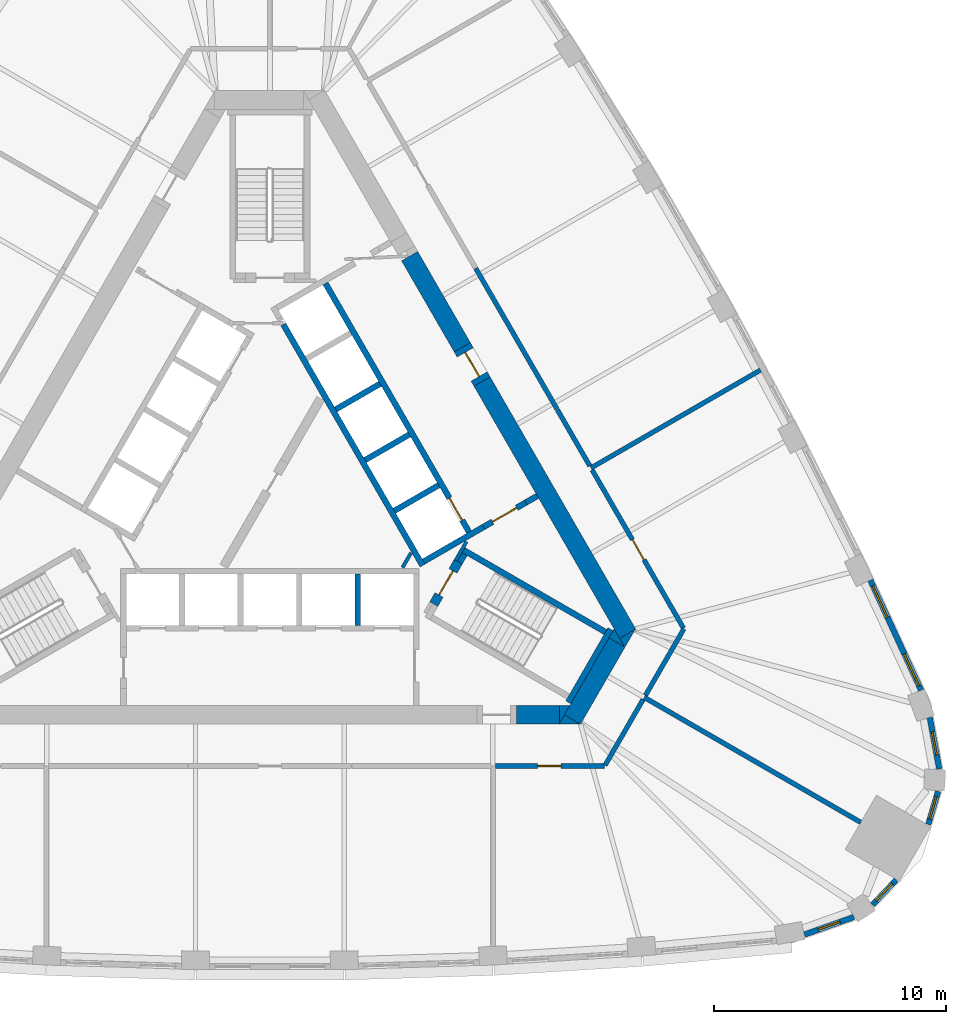
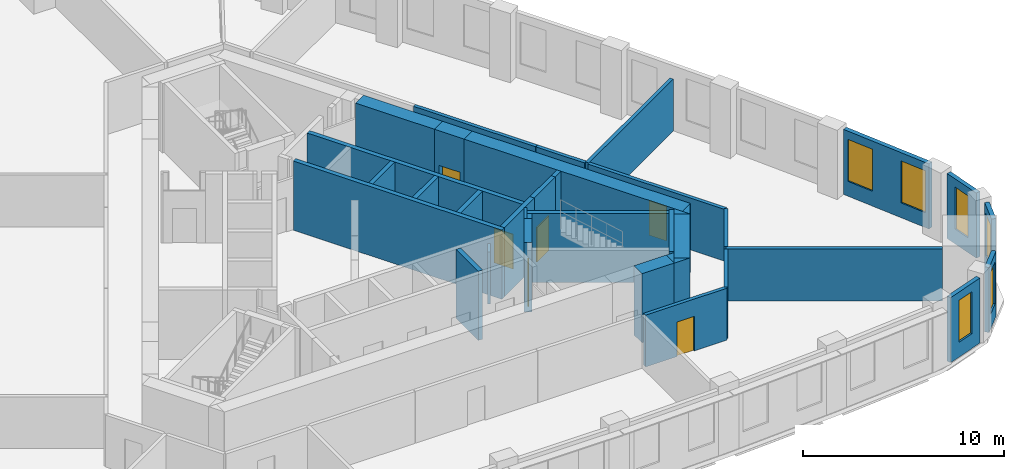
# One storey, part 6 of 9: 37 walls, 6 doors, 6 windows, 12 openings.
"""IFC4 building model written with IfcOpenShell, lengths in metres."""

from ifc_helpers import new_model, si_unit, direction, frame, frame_2d, origin, place, context, subcontext, project, spatial, polyline, rectangle, outline, extrude, material, layer, layer_set, type_object, element, fill, save


model = new_model("IFC4")

# Units and contexts
model_context = context("Model", 3, precision=1e-05, world=origin(), true_north=direction((0.0, 1.0)))
body_context = subcontext(model_context, "Body", "Model", "MODEL_VIEW")
ifc_project = project(units=[si_unit("LENGTHUNIT", "METRE"), si_unit("AREAUNIT", "SQUARE_METRE"), si_unit("VOLUMEUNIT", "CUBIC_METRE"), si_unit("PLANEANGLEUNIT", "RADIAN"), si_unit("MASSUNIT", "GRAM", prefix="KILO")], contexts=[model_context])

# Site, building, storey
site_placement = place(None, origin())
site = spatial("IfcSite", under=ifc_project, at=site_placement, CompositionType="ELEMENT")
building_placement = place(site_placement, origin())
building = spatial("IfcBuilding", under=site, at=building_placement, Name="Mestral Congress Tower", CompositionType="ELEMENT")
storey_placement = place(building_placement, frame((0.0, 0.0, 179.39990234375)))
storey = spatial("IfcBuildingStorey", under=building, at=storey_placement, Name="L42", CompositionType="ELEMENT", Elevation=179.39990234375)

# Walls
ifc_material_1 = material(Name="Fire-rated board partition")
ifc_layer_1 = layer(ifc_material_1, 0.14990234375)
ifc_layer_set_1 = layer_set([ifc_layer_1], Name="Fire-rated board partition")
wall_type_1 = type_object("IfcWallType", Name="Core partition 150", PredefinedType="PARTITIONING", material=ifc_layer_set_1)
wall_1_placement = place(storey_placement, frame((5.704833984375, -3.718017578125, 0.0), z_axis=(0.0, 0.0, 1.0), x_axis=(0.499962090823, 0.866047289552, 0.0)))
element("IfcWall", 1, at=wall_1_placement, inside=storey, type_object=wall_type_1, Name="L42 core wall", PredefinedType="PARTITIONING", context=body_context, shape_type="SweptSolid", body=[
    extrude(rectangle(XDim=0.73486328125, YDim=0.14990234375, at=frame_2d((0.367431640625, 0.0))), origin(), (0.0, 0.0, 1.0), 3.150146484375),
])
ifc_material_2 = material(Name="Concrete C60/75", Category="concrete")
ifc_layer_2 = layer(ifc_material_2, 0.800048828125)
ifc_layer_set_2 = layer_set([ifc_layer_2], Name="Concrete C60/75")
wall_type_2 = type_object("IfcWallType", Name="Core wall RC 800", PredefinedType="SOLIDWALL", material=ifc_layer_set_2)
wall_2_placement = place(storey_placement, frame((9.128662109375, 4.288818359375, 0.0), z_axis=(0.0, 0.0, 1.0), x_axis=(0.499995742806, -0.866027861663, 0.0)))
element("IfcWall", 2, at=wall_2_placement, inside=storey, type_object=wall_type_2, Name="L42 core wall", PredefinedType="SOLIDWALL", context=body_context, shape_type="SweptSolid", body=[
    extrude(rectangle(XDim=12.52734375, YDim=0.800048828125, at=frame_2d((6.263671875, 0.0))), origin(), (0.0, 0.0, 1.0), 4.2001953125),
])
placement = place(storey_placement, origin())
element("IfcWall", 3, at=placement, inside=storey, type_object=wall_type_2, Name="L42 core wall", PredefinedType="SOLIDWALL", context=body_context, shape_type="SweptSolid", body=[
    extrude(outline(polyline([(15.27099609375, -7.14990234375), (15.046875, -6.761962890625), (15.718994140625, -6.3740234375), (15.27099609375, -7.14990234375)])), origin(), (0.0, 0.0, 1.0), 4.2001953125),
])
wall_4_placement = place(storey_placement, frame((13.018310546875, -10.251708984375, 0.0), z_axis=(0.0, 0.0, 1.0), x_axis=(0.499984020225, 0.866034629516, 0.0)))
element("IfcWall", 4, at=wall_4_placement, inside=storey, type_object=wall_type_2, Name="L42 core wall", PredefinedType="SOLIDWALL", context=body_context, shape_type="SweptSolid", body=[
    extrude(rectangle(XDim=3.824462890625, YDim=0.800048828125, at=frame_2d((1.912109375, 0.0))), origin(), (0.0, 0.0, 1.0), 4.2001953125),
])
element("IfcWall", 5, at=placement, inside=storey, type_object=wall_type_2, Name="L42 core wall", PredefinedType="SOLIDWALL", context=body_context, shape_type="SweptSolid", body=[
    extrude(outline(polyline([(12.6708984375, -10.053466796875), (13.35791015625, -10.449951171875), (12.44189453125, -10.449951171875), (12.6708984375, -10.053466796875)])), origin(), (0.0, 0.0, 1.0), 4.2001953125),
])
element("IfcWall", 6, at=placement, inside=storey, type_object=wall_type_2, Name="L42 core wall", PredefinedType="SOLIDWALL", context=body_context, shape_type="SweptSolid", body=[
    extrude(outline(polyline([(14.80908203125, -6.35009765625), (15.257080078125, -7.1259765625), (14.5849609375, -6.738037109375), (14.80908203125, -6.35009765625)])), origin(), (0.0, 0.0, 1.0), 4.2001953125),
])
wall_7_placement = place(storey_placement, frame((10.6044921875, -10.050048828125, 0.0), z_axis=(0.0, 0.0, 1.0), x_axis=(1.0, 0.0, 0.0)))
element("IfcWall", 7, at=wall_7_placement, inside=storey, type_object=wall_type_2, Name="L42 core wall", PredefinedType="SOLIDWALL", context=body_context, shape_type="SweptSolid", body=[
    extrude(rectangle(XDim=1.849365234375, YDim=0.800048828125, at=frame_2d((0.9248046875, 0.0))), origin(), (0.0, 0.0, 1.0), 4.2001953125),
])
element("IfcWall", 8, at=placement, inside=storey, type_object=wall_type_2, Name="L42 core wall", PredefinedType="SOLIDWALL", context=body_context, shape_type="SweptSolid", body=[
    extrude(outline(polyline([(12.90380859375, -9.64990234375), (12.455810546875, -10.42578125), (12.455810546875, -9.64990234375), (12.90380859375, -9.64990234375)])), origin(), (0.0, 0.0, 1.0), 4.2001953125),
])
wall_9_placement = place(storey_placement, frame((8.278564453125, 5.76123046875, 0.0), z_axis=(0.0, 0.0, 1.0), x_axis=(-0.500024261398, 0.866011396007, 0.0)))
element("IfcWall", 9, at=wall_9_placement, inside=storey, type_object=wall_type_2, Name="L42 core wall", PredefinedType="SOLIDWALL", context=body_context, shape_type="SweptSolid", body=[
    extrude(rectangle(XDim=4.528076171875, YDim=0.800048828125, at=frame_2d((2.26416015625, 0.0))), origin(), (0.0, 0.0, 1.0), 4.2001953125),
])

# Wall, opening, door
wall_10_placement = place(storey_placement, frame((8.278564453125, 5.760986328125, 0.0), z_axis=(0.0, 0.0, 1.0), x_axis=(0.500062241894, -0.865989465428, 0.0)))
wall_10 = element("IfcWall", 10, at=wall_10_placement, inside=storey, type_object=wall_type_2, Name="L42 door wall", PredefinedType="SOLIDWALL", context=body_context, shape_type="SweptSolid", body=[
    extrude(rectangle(XDim=1.699951171875, YDim=0.800048828125, at=frame_2d((0.85009765625, 0.0))), origin(), (0.0, 0.0, 1.0), 4.2001953125),
])
opening_1_placement = place(wall_10_placement, frame((0.25, 0.0, 0.0)))
opening_1 = element("IfcOpeningElement", 11, at=opening_1_placement, cuts=wall_10, Name="Opening XDL", PredefinedType="OPENING", context=body_context, shape_type="SweptSolid", body=[
    extrude(rectangle(XDim=1.199951171875, YDim=2.10009765625, at=frame_2d((0.60009765625, 1.050048828125))), frame((0.0, 0.409912109375, 0.0), z_axis=(0.0, -1.0, 0.0), x_axis=(1.0, 0.0, 0.0)), (0.0, 0.0, 1.0), 0.820068359375),
])
ifc_material_3 = material(Name="Fire-rated steel door set", Category="steel")
door_type_1 = type_object("IfcDoorType", Name="Core door XD 1200x2100", OperationType="SINGLE_SWING_LEFT", PredefinedType="DOOR", material=ifc_material_3)
door_1_placement = place(opening_1_placement, origin())
door_1 = element("IfcDoor", 12, at=door_1_placement, inside=storey, type_object=door_type_1, Name="Door XDL", OperationType="SINGLE_SWING_LEFT", OverallHeight=2.10009765625, OverallWidth=1.199951171875, PredefinedType="DOOR", context=body_context, shape_type="SweptSolid", body=[
    extrude(rectangle(XDim=1.199951171875, YDim=2.10009765625, at=frame_2d((0.60009765625, 1.050048828125))), frame((0.0, 0.02490234375, 0.0), z_axis=(0.0, -1.0, 0.0), x_axis=(1.0, 0.0, 0.0)), (0.0, 0.0, 1.0), 0.050048828125),
])
fill(opening_1, door_1)

# Wall, opening, window
ifc_material_4 = material(Name="Precast concrete C40/50 with limestone facing", Category="masonry")
ifc_layer_3 = layer(ifc_material_4, 0.239990234375)
ifc_layer_set_3 = layer_set([ifc_layer_3], Name="Precast concrete C40/50 with limestone facing")
wall_type_3 = type_object("IfcWallType", Name="Facade stone wall 240", PredefinedType="SOLIDWALL", material=ifc_layer_set_3)
wall_11_placement = place(storey_placement, frame((23.0009765625, -19.50537109375, 0.0), z_axis=(0.0, 0.0, 1.0), x_axis=(0.942099727267, 0.335332825539, 0.0)))
wall_11 = element("IfcWall", 13, at=wall_11_placement, inside=storey, type_object=wall_type_3, Name="Facade wall K0-0", PredefinedType="SOLIDWALL", context=body_context, shape_type="SweptSolid", body=[
    extrude(rectangle(XDim=2.25048828125, YDim=0.239990234375, at=frame_2d((1.125244140625, 0.0))), origin(), (0.0, 0.0, 1.0), 3.9501953125),
])
opening_2_placement = place(wall_11_placement, frame((0.625244140625, 0.0, 0.89990234375)))
opening_2 = element("IfcOpeningElement", 14, at=opening_2_placement, cuts=wall_11, Name="Opening W5", PredefinedType="OPENING", context=body_context, shape_type="SweptSolid", body=[
    extrude(rectangle(XDim=1.0, YDim=2.550048828125, at=frame_2d((0.5, 1.27490234375))), frame((0.0, 0.1298828125, 0.0), z_axis=(0.0, -1.0, 0.0), x_axis=(1.0, 0.0, 0.0)), (0.0, 0.0, 1.0), 0.260009765625),
])
ifc_material_5 = material(Name="Clear low-emissivity double glazing", Category="glass")
window_type_1 = type_object("IfcWindowType", Name="Facade punched window 1000 x 2550 sill 900", PartitioningType="SINGLE_PANEL", PredefinedType="WINDOW", material=ifc_material_5)
window_1_placement = place(opening_2_placement, origin())
window_1 = element("IfcWindow", 15, at=window_1_placement, inside=storey, type_object=window_type_1, Name="Window K0-0", OverallHeight=2.550048828125, OverallWidth=1.0, PartitioningType="SINGLE_PANEL", PredefinedType="WINDOW", context=body_context, shape_type="SweptSolid", body=[
    extrude(rectangle(XDim=1.0, YDim=2.550048828125, at=frame_2d((0.5, 1.27490234375))), frame((0.0, 0.0400390625, 0.0), z_axis=(0.0, -1.0, 0.0), x_axis=(1.0, 0.0, 0.0)), (0.0, 0.0, 1.0), 0.06005859375),
])
fill(opening_2, window_1)

wall_12_placement = place(storey_placement, frame((25.9267578125, -18.226318359375, 0.0), z_axis=(0.0, 0.0, 1.0), x_axis=(0.687986858937, 0.725723144133, 0.0)))
wall_12 = element("IfcWall", 16, at=wall_12_placement, inside=storey, type_object=wall_type_3, Name="Facade wall K0-1", PredefinedType="SOLIDWALL", context=body_context, shape_type="SweptSolid", body=[
    extrude(rectangle(XDim=1.4814453125, YDim=0.239990234375, at=frame_2d((0.74072265625, 0.0))), origin(), (0.0, 0.0, 1.0), 3.9501953125),
])
opening_3_placement = place(wall_12_placement, frame((0.24072265625, 0.0, 0.89990234375)))
opening_3 = element("IfcOpeningElement", 17, at=opening_3_placement, cuts=wall_12, Name="Opening W5", PredefinedType="OPENING", context=body_context, shape_type="SweptSolid", body=[
    extrude(rectangle(XDim=1.0, YDim=2.550048828125, at=frame_2d((0.5, 1.27490234375))), frame((0.0, 0.1298828125, 0.0), z_axis=(0.0, -1.0, 0.0), x_axis=(1.0, 0.0, 0.0)), (0.0, 0.0, 1.0), 0.260009765625),
])
window_2_placement = place(opening_3_placement, origin())
window_2 = element("IfcWindow", 18, at=window_2_placement, inside=storey, type_object=window_type_1, Name="Window K0-1", OverallHeight=2.550048828125, OverallWidth=1.0, PartitioningType="SINGLE_PANEL", PredefinedType="WINDOW", context=body_context, shape_type="SweptSolid", body=[
    extrude(rectangle(XDim=1.0, YDim=2.550048828125, at=frame_2d((0.5, 1.27490234375))), frame((0.0, 0.0400390625, 0.0), z_axis=(0.0, -1.0, 0.0), x_axis=(1.0, 0.0, 0.0)), (0.0, 0.0, 1.0), 0.06005859375),
])
fill(opening_3, window_2)

wall_13_placement = place(storey_placement, frame((28.326416015625, -14.760498046875, 0.0), z_axis=(0.0, 0.0, 1.0), x_axis=(0.284413721403, 0.958701640281, 0.0)))
wall_13 = element("IfcWall", 19, at=wall_13_placement, inside=storey, type_object=wall_type_3, Name="Facade wall K0-2", PredefinedType="SOLIDWALL", context=body_context, shape_type="SweptSolid", body=[
    extrude(rectangle(XDim=1.481689453125, YDim=0.239990234375, at=frame_2d((0.74072265625, 0.0))), origin(), (0.0, 0.0, 1.0), 3.9501953125),
])
opening_4_placement = place(wall_13_placement, frame((0.24072265625, 0.0, 0.89990234375)))
opening_4 = element("IfcOpeningElement", 20, at=opening_4_placement, cuts=wall_13, Name="Opening W5", PredefinedType="OPENING", context=body_context, shape_type="SweptSolid", body=[
    extrude(rectangle(XDim=1.0, YDim=2.550048828125, at=frame_2d((0.5, 1.27490234375))), frame((0.0, 0.1298828125, 0.0), z_axis=(0.0, -1.0, 0.0), x_axis=(1.0, 0.0, 0.0)), (0.0, 0.0, 1.0), 0.260009765625),
])
window_3_placement = place(opening_4_placement, origin())
window_3 = element("IfcWindow", 21, at=window_3_placement, inside=storey, type_object=window_type_1, Name="Window K0-2", OverallHeight=2.550048828125, OverallWidth=1.0, PartitioningType="SINGLE_PANEL", PredefinedType="WINDOW", context=body_context, shape_type="SweptSolid", body=[
    extrude(rectangle(XDim=1.0, YDim=2.550048828125, at=frame_2d((0.5, 1.27490234375))), frame((0.0, 0.0400390625, 0.0), z_axis=(0.0, -1.0, 0.0), x_axis=(1.0, 0.0, 0.0)), (0.0, 0.0, 1.0), 0.06005859375),
])
fill(opening_4, window_3)

wall_14_placement = place(storey_placement, frame((28.79931640625, -12.380126953125, 0.0), z_axis=(0.0, 0.0, 1.0), x_axis=(-0.180737189259, 0.983531427265, 0.0)))
wall_14 = element("IfcWall", 22, at=wall_14_placement, inside=storey, type_object=wall_type_3, Name="Facade wall K0-3", PredefinedType="SOLIDWALL", context=body_context, shape_type="SweptSolid", body=[
    extrude(rectangle(XDim=2.25048828125, YDim=0.239990234375, at=frame_2d((1.125244140625, 0.0))), origin(), (0.0, 0.0, 1.0), 3.9501953125),
])
opening_5_placement = place(wall_14_placement, frame((0.625244140625, 0.0, 0.89990234375)))
opening_5 = element("IfcOpeningElement", 23, at=opening_5_placement, cuts=wall_14, Name="Opening W5", PredefinedType="OPENING", context=body_context, shape_type="SweptSolid", body=[
    extrude(rectangle(XDim=1.0, YDim=2.550048828125, at=frame_2d((0.5, 1.27490234375))), frame((0.0, 0.1298828125, 0.0), z_axis=(0.0, -1.0, 0.0), x_axis=(1.0, 0.0, 0.0)), (0.0, 0.0, 1.0), 0.260009765625),
])
window_4_placement = place(opening_5_placement, origin())
window_4 = element("IfcWindow", 24, at=window_4_placement, inside=storey, type_object=window_type_1, Name="Window K0-3", OverallHeight=2.550048828125, OverallWidth=1.0, PartitioningType="SINGLE_PANEL", PredefinedType="WINDOW", context=body_context, shape_type="SweptSolid", body=[
    extrude(rectangle(XDim=1.0, YDim=2.550048828125, at=frame_2d((0.5, 1.27490234375))), frame((0.0, 0.0400390625, 0.0), z_axis=(0.0, -1.0, 0.0), x_axis=(1.0, 0.0, 0.0)), (0.0, 0.0, 1.0), 0.06005859375),
])
fill(opening_5, window_4)

# Wall, openings, windows
wall_15_placement = place(storey_placement, frame((28.019775390625, -8.991943359375, 0.0), z_axis=(0.0, 0.0, 1.0), x_axis=(-0.418722559465, 0.908114209885, 0.0)))
wall_15 = element("IfcWall", 25, at=wall_15_placement, inside=storey, type_object=wall_type_3, Name="Facade wall F1-00", PredefinedType="SOLIDWALL", context=body_context, shape_type="SweptSolid", body=[
    extrude(rectangle(XDim=5.213134765625, YDim=0.239990234375, at=frame_2d((2.6064453125, 0.0))), origin(), (0.0, 0.0, 1.0), 3.9501953125),
])
opening_6_placement = place(wall_15_placement, frame((0.220947265625, 0.0, 0.89990234375)))
opening_6 = element("IfcOpeningElement", 26, at=opening_6_placement, cuts=wall_15, Name="Opening W4", PredefinedType="OPENING", context=body_context, shape_type="SweptSolid", body=[
    extrude(rectangle(XDim=1.5, YDim=2.550048828125, at=frame_2d((0.75, 1.27490234375))), frame((0.0, 0.1298828125, 0.0), z_axis=(0.0, -1.0, 0.0), x_axis=(1.0, 0.0, 0.0)), (0.0, 0.0, 1.0), 0.260009765625),
])
opening_7_placement = place(wall_15_placement, frame((3.452392578125, 0.0, 0.89990234375)))
opening_7 = element("IfcOpeningElement", 27, at=opening_7_placement, cuts=wall_15, Name="Opening W4", PredefinedType="OPENING", context=body_context, shape_type="SweptSolid", body=[
    extrude(rectangle(XDim=1.5, YDim=2.550048828125, at=frame_2d((0.75, 1.27490234375))), frame((0.0, 0.1298828125, 0.0), z_axis=(0.0, -1.0, 0.0), x_axis=(1.0, 0.0, 0.0)), (0.0, 0.0, 1.0), 0.260009765625),
])
window_type_2 = type_object("IfcWindowType", Name="Facade punched window 1500 x 2550 sill 900", PartitioningType="SINGLE_PANEL", PredefinedType="WINDOW", material=ifc_material_5)
window_5_placement = place(opening_6_placement, origin())
window_5 = element("IfcWindow", 28, at=window_5_placement, inside=storey, type_object=window_type_2, Name="Window F1-00a", OverallHeight=2.550048828125, OverallWidth=1.5, PartitioningType="SINGLE_PANEL", PredefinedType="WINDOW", context=body_context, shape_type="SweptSolid", body=[
    extrude(rectangle(XDim=1.5, YDim=2.550048828125, at=frame_2d((0.75, 1.27490234375))), frame((0.0, 0.0400390625, 0.0), z_axis=(0.0, -1.0, 0.0), x_axis=(1.0, 0.0, 0.0)), (0.0, 0.0, 1.0), 0.06005859375),
])
fill(opening_6, window_5)
window_6_placement = place(opening_7_placement, origin())
window_6 = element("IfcWindow", 29, at=window_6_placement, inside=storey, type_object=window_type_2, Name="Window F1-00b", OverallHeight=2.550048828125, OverallWidth=1.5, PartitioningType="SINGLE_PANEL", PredefinedType="WINDOW", context=body_context, shape_type="SweptSolid", body=[
    extrude(rectangle(XDim=1.5, YDim=2.550048828125, at=frame_2d((0.75, 1.27490234375))), frame((0.0, 0.0400390625, 0.0), z_axis=(0.0, -1.0, 0.0), x_axis=(1.0, 0.0, 0.0)), (0.0, 0.0, 1.0), 0.06005859375),
])
fill(opening_7, window_6)

# Wall
ifc_material_6 = material(Name="Dense masonry wall, plastered", Category="masonry")
ifc_layer_4 = layer(ifc_material_6, 0.199951171875)
ifc_layer_set_4 = layer_set([ifc_layer_4], Name="Dense masonry wall, plastered")
wall_type_4 = type_object("IfcWallType", Name="Office tenancy wall 200", PredefinedType="PARTITIONING", material=ifc_layer_set_4)
wall_16_placement = place(storey_placement, frame((16.108154296875, -9.300048828125, 0.0), z_axis=(0.0, 0.0, 1.0), x_axis=(0.866027180319, -0.499996922939, 0.0)))
element("IfcWall", 30, at=wall_16_placement, inside=storey, type_object=wall_type_4, Name="Tenancy wall", PredefinedType="PARTITIONING", context=body_context, shape_type="SweptSolid", body=[
    extrude(rectangle(XDim=10.75390625, YDim=0.199951171875, at=frame_2d((5.376953125, 0.0))), origin(), (0.0, 0.0, 1.0), 3.150146484375),
])

# Wall, opening, door
wall_17_placement = place(storey_placement, frame((9.71728515625, -12.25, 0.0), z_axis=(0.0, 0.0, 1.0), x_axis=(1.0, 0.0, 0.0)))
wall_17 = element("IfcWall", 31, at=wall_17_placement, inside=storey, type_object=wall_type_4, Name="Tenancy wall", PredefinedType="PARTITIONING", context=body_context, shape_type="SweptSolid", body=[
    extrude(rectangle(XDim=4.6875, YDim=0.199951171875, at=frame_2d((2.34375, 0.0))), origin(), (0.0, 0.0, 1.0), 3.150146484375),
])
opening_8_placement = place(wall_17_placement, frame((1.800048828125, 0.0, 0.0)))
opening_8 = element("IfcOpeningElement", 32, at=opening_8_placement, cuts=wall_17, Name="Opening O04-002", PredefinedType="OPENING", context=body_context, shape_type="SweptSolid", body=[
    extrude(rectangle(XDim=1.0, YDim=2.10009765625, at=frame_2d((0.5, 1.050048828125))), frame((0.0, 0.10986328125, 0.0), z_axis=(0.0, -1.0, 0.0), x_axis=(1.0, 0.0, 0.0)), (0.0, 0.0, 1.0), 0.219970703125),
])
ifc_material_7 = material(Name="Fire-rated timber door set", Category="wood")
door_type_2 = type_object("IfcDoorType", Name="Office tenancy entrance door 1000x2100", OperationType="SINGLE_SWING_LEFT", PredefinedType="DOOR", material=ifc_material_7)
door_2_placement = place(opening_8_placement, origin())
door_2 = element("IfcDoor", 33, at=door_2_placement, inside=storey, type_object=door_type_2, Name="Door O04-002", OperationType="SINGLE_SWING_LEFT", OverallHeight=2.10009765625, OverallWidth=1.0, PredefinedType="DOOR", context=body_context, shape_type="SweptSolid", body=[
    extrude(rectangle(XDim=1.0, YDim=2.10009765625, at=frame_2d((0.5, 1.050048828125))), frame((0.0, 0.02490234375, 0.0), z_axis=(0.0, -1.0, 0.0), x_axis=(1.0, 0.0, 0.0)), (0.0, 0.0, 1.0), 0.050048828125),
])
fill(opening_8, door_2)

# Walls
wall_18_placement = place(storey_placement, frame((14.419921875, -12.22412109375, 0.0), z_axis=(0.0, 0.0, 1.0), x_axis=(0.500001965626, 0.866024268927, 0.0)))
element("IfcWall", 34, at=wall_18_placement, inside=storey, type_object=wall_type_4, Name="Tenancy wall", PredefinedType="PARTITIONING", context=body_context, shape_type="SweptSolid", body=[
    extrude(rectangle(XDim=3.2763671875, YDim=0.199951171875, at=frame_2d((1.63818359375, 0.0))), origin(), (0.0, 0.0, 1.0), 3.150146484375),
])
wall_19_placement = place(storey_placement, frame((13.814697265625, 0.572021484375, 0.0), z_axis=(0.0, 0.0, 1.0), x_axis=(0.866036391575, 0.499980968105, 0.0)))
element("IfcWall", 35, at=wall_19_placement, inside=storey, type_object=wall_type_4, Name="Tenancy wall", PredefinedType="PARTITIONING", context=body_context, shape_type="SweptSolid", body=[
    extrude(rectangle(XDim=8.420166015625, YDim=0.199951171875, at=frame_2d((4.2099609375, 0.0))), origin(), (0.0, 0.0, 1.0), 3.150146484375),
])
wall_20_placement = place(storey_placement, frame((16.158203125, -9.21337890625, 0.0), z_axis=(0.0, 0.0, 1.0), x_axis=(0.499990919662, 0.866030646256, 0.0)))
element("IfcWall", 36, at=wall_20_placement, inside=storey, type_object=wall_type_4, Name="Tenancy wall", PredefinedType="PARTITIONING", context=body_context, shape_type="SweptSolid", body=[
    extrude(rectangle(XDim=3.30615234375, YDim=0.199951171875, at=frame_2d((1.653076171875, 0.0))), origin(), (0.0, 0.0, 1.0), 3.150146484375),
])

# Wall, opening, door
wall_21_placement = place(storey_placement, frame((17.79638671875, -6.323974609375, 0.0), z_axis=(0.0, 0.0, 1.0), x_axis=(-0.500026166427, 0.866010296064, 0.0)))
wall_21 = element("IfcWall", 37, at=wall_21_placement, inside=storey, type_object=wall_type_4, Name="Tenancy wall", PredefinedType="PARTITIONING", context=body_context, shape_type="SweptSolid", body=[
    extrude(rectangle(XDim=7.86279296875, YDim=0.199951171875, at=frame_2d((3.931396484375, 0.0))), origin(), (0.0, 0.0, 1.0), 3.150146484375),
])
opening_9_placement = place(wall_21_placement, frame((3.39990234375, 0.0, 0.0)))
opening_9 = element("IfcOpeningElement", 38, at=opening_9_placement, cuts=wall_21, Name="Opening O04-003", PredefinedType="OPENING", context=body_context, shape_type="SweptSolid", body=[
    extrude(rectangle(XDim=1.0, YDim=2.10009765625, at=frame_2d((0.5, 1.050048828125))), frame((0.0, 0.10986328125, 0.0), z_axis=(0.0, -1.0, 0.0), x_axis=(1.0, 0.0, 0.0)), (0.0, 0.0, 1.0), 0.219970703125),
])
door_3_placement = place(opening_9_placement, origin())
door_3 = element("IfcDoor", 39, at=door_3_placement, inside=storey, type_object=door_type_2, Name="Door O04-003", OperationType="SINGLE_SWING_LEFT", OverallHeight=2.10009765625, OverallWidth=1.0, PredefinedType="DOOR", context=body_context, shape_type="SweptSolid", body=[
    extrude(rectangle(XDim=1.0, YDim=2.10009765625, at=frame_2d((0.5, 1.050048828125))), frame((0.0, 0.02490234375, 0.0), z_axis=(0.0, -1.0, 0.0), x_axis=(1.0, 0.0, 0.0)), (0.0, 0.0, 1.0), 0.050048828125),
])
fill(opening_9, door_3)

# Walls
wall_22_placement = place(storey_placement, frame((12.35888671875, 3.093994140625, 0.0), z_axis=(0.0, 0.0, 1.0), x_axis=(-0.500010275428, 0.866019471182, 0.0)))
element("IfcWall", 40, at=wall_22_placement, inside=storey, type_object=wall_type_4, Name="Tenancy wall", PredefinedType="PARTITIONING", context=body_context, shape_type="SweptSolid", body=[
    extrude(rectangle(XDim=6.999755859375, YDim=0.199951171875, at=frame_2d((3.5, 0.0))), origin(), (0.0, 0.0, 1.0), 3.150146484375),
])
wall_23_placement = place(storey_placement, frame((13.764892578125, 0.65869140625, 0.0), z_axis=(0.0, 0.0, 1.0), x_axis=(-0.500046568876, 0.865998515562, 0.0)))
element("IfcWall", 41, at=wall_23_placement, inside=storey, type_object=wall_type_4, Name="Tenancy wall", PredefinedType="PARTITIONING", context=body_context, shape_type="SweptSolid", body=[
    extrude(rectangle(XDim=2.781982421875, YDim=0.199951171875, at=frame_2d((1.39111328125, 0.0))), origin(), (0.0, 0.0, 1.0), 3.150146484375),
])
ifc_layer_5 = layer(ifc_material_2, 0.25)
ifc_layer_set_5 = layer_set([ifc_layer_5], Name="Concrete C60/75")
wall_type_5 = type_object("IfcWallType", Name="Shaft wall RC 250", PredefinedType="SOLIDWALL", material=ifc_layer_set_5)
wall_24_placement = place(storey_placement, frame((3.780029296875, -4.0, 0.0), z_axis=(0.0, 0.0, 1.0), x_axis=(0.0, -1.0, 0.0)))
element("IfcWall", 42, at=wall_24_placement, inside=storey, type_object=wall_type_5, Name="L42 core wall", PredefinedType="SOLIDWALL", context=body_context, shape_type="SweptSolid", body=[
    extrude(rectangle(XDim=2.199951171875, YDim=0.25, at=frame_2d((1.10009765625, 0.0))), origin(), (0.0, 0.0, 1.0), 4.2001953125),
])
wall_25_placement = place(storey_placement, frame((11.507080078125, -0.631103515625, 0.0), z_axis=(0.0, 0.0, 1.0), x_axis=(-0.866093731455, -0.499881634324, 0.0)))
element("IfcWall", 43, at=wall_25_placement, inside=storey, type_object=wall_type_5, Name="L42 core wall", PredefinedType="SOLIDWALL", context=body_context, shape_type="SweptSolid", body=[
    extrude(rectangle(XDim=0.575439453125, YDim=0.25, at=frame_2d((0.28759765625, 0.0))), origin(), (0.0, 0.0, 1.0), 4.2001953125),
])
wall_26_placement = place(storey_placement, frame((6.568359375, -3.626708984375, 0.0), z_axis=(0.0, 0.0, 1.0), x_axis=(-0.499999455981, 0.866025717874, 0.0)))
element("IfcWall", 44, at=wall_26_placement, inside=storey, type_object=wall_type_5, Name="L42 core wall", PredefinedType="SOLIDWALL", context=body_context, shape_type="SweptSolid", body=[
    extrude(rectangle(XDim=11.97802734375, YDim=0.25, at=frame_2d((5.989013671875, 0.0))), origin(), (0.0, 0.0, 1.0), 4.2001953125),
])
for number, where, z_axis, x_axis, name in (
    (45, (2.833984375, 3.091064453125, 0.0), (0.0, 0.0, 1.0), (0.866008176907, 0.50002983664, 0.0), "L42 core wall"),
    (46, (4.093994140625, 0.90869140625, 0.0), (0.0, 0.0, 1.0), (0.866008176907, 0.50002983664, 0.0), "L42 core wall"),
    (47, (5.35400390625, -1.273681640625, 0.0), (0.0, 0.0, 1.0), (0.866008176907, 0.50002983664, 0.0), "L42 core wall"),
):
    element("IfcWall", number, at=place(storey_placement, frame(where, z_axis=z_axis, x_axis=x_axis)), inside=storey, type_object=wall_type_5, Name=name, PredefinedType="SOLIDWALL", context=body_context, shape_type="SweptSolid", body=[
        extrude(rectangle(XDim=2.199951171875, YDim=0.25, at=frame_2d((1.10009765625, 0.0))), origin(), (0.0, 0.0, 1.0), 4.2001953125),
    ])
wall_27_placement = place(storey_placement, frame((6.614013671875, -3.4560546875, 0.0), z_axis=(0.0, 0.0, 1.0), x_axis=(0.866032512851, 0.499987686533, 0.0)))
element("IfcWall", 48, at=wall_27_placement, inside=storey, type_object=wall_type_5, Name="L42 core wall", PredefinedType="SOLIDWALL", context=body_context, shape_type="SweptSolid", body=[
    extrude(rectangle(XDim=2.974609375, YDim=0.25, at=frame_2d((1.4873046875, 0.0))), origin(), (0.0, 0.0, 1.0), 4.2001953125),
])

# Wall, opening, door
wall_28_placement = place(storey_placement, frame((8.565185546875, -2.185302734375, 0.0), z_axis=(0.0, 0.0, 1.0), x_axis=(-0.499997954832, 0.866026584559, 0.0)))
wall_28 = element("IfcWall", 49, at=wall_28_placement, inside=storey, type_object=wall_type_5, Name="L42 door wall", PredefinedType="SOLIDWALL", context=body_context, shape_type="SweptSolid", body=[
    extrude(rectangle(XDim=12.35009765625, YDim=0.25, at=frame_2d((6.175048828125, 0.0))), origin(), (0.0, 0.0, 1.0), 4.2001953125),
])
opening_10_placement = place(wall_28_placement, frame((0.5849609375, 0.0, 0.0)))
opening_10 = element("IfcOpeningElement", 50, at=opening_10_placement, cuts=wall_28, Name="Opening LD-NEB1", PredefinedType="OPENING", context=body_context, shape_type="SweptSolid", body=[
    extrude(rectangle(XDim=1.10009765625, YDim=2.10009765625, at=frame_2d((0.550048828125, 1.050048828125))), frame((0.0, 0.135009765625, 0.0), z_axis=(0.0, -1.0, 0.0), x_axis=(1.0, 0.0, 0.0)), (0.0, 0.0, 1.0), 0.27001953125),
])
door_type_3 = type_object("IfcDoorType", Name="Core door LD 1100x2100", OperationType="DOUBLE_DOOR_SLIDING", PredefinedType="DOOR", material=ifc_material_3)
door_4_placement = place(opening_10_placement, origin())
door_4 = element("IfcDoor", 51, at=door_4_placement, inside=storey, type_object=door_type_3, Name="Door LD-NEB1", OperationType="DOUBLE_DOOR_SLIDING", OverallHeight=2.10009765625, OverallWidth=1.10009765625, PredefinedType="DOOR", context=body_context, shape_type="SweptSolid", body=[
    extrude(rectangle(XDim=1.10009765625, YDim=2.10009765625, at=frame_2d((0.550048828125, 1.050048828125))), frame((0.0, 0.02490234375, 0.0), z_axis=(0.0, -1.0, 0.0), x_axis=(1.0, 0.0, 0.0)), (0.0, 0.0, 1.0), 0.050048828125),
])
fill(opening_10, door_4)

wall_29_placement = place(storey_placement, frame((11.0087890625, -0.918701171875, 0.0), z_axis=(0.0, 0.0, 1.0), x_axis=(-0.866059744384, -0.49994051562, 0.0)))
wall_29 = element("IfcWall", 52, at=wall_29_placement, inside=storey, type_object=wall_type_5, Name="L42 door wall", PredefinedType="SOLIDWALL", context=body_context, shape_type="SweptSolid", body=[
    extrude(rectangle(XDim=2.099853515625, YDim=0.25, at=frame_2d((1.0498046875, 0.0))), origin(), (0.0, 0.0, 1.0), 4.2001953125),
])
opening_11_placement = place(wall_29_placement, frame((0.449951171875, 0.0, 0.0)))
opening_11 = element("IfcOpeningElement", 53, at=opening_11_placement, cuts=wall_29, Name="Opening LB1-PX10", PredefinedType="OPENING", context=body_context, shape_type="SweptSolid", body=[
    extrude(rectangle(XDim=1.199951171875, YDim=2.10009765625, at=frame_2d((0.60009765625, 1.050048828125))), frame((0.0, 0.135009765625, 0.0), z_axis=(0.0, -1.0, 0.0), x_axis=(1.0, 0.0, 0.0)), (0.0, 0.0, 1.0), 0.27001953125),
])
door_type_4 = type_object("IfcDoorType", Name="Core door LB 1200x2100", OperationType="SINGLE_SWING_LEFT", PredefinedType="DOOR", material=ifc_material_3)
door_5_placement = place(opening_11_placement, origin())
door_5 = element("IfcDoor", 54, at=door_5_placement, inside=storey, type_object=door_type_4, Name="Door LB1-PX10", OperationType="SINGLE_SWING_LEFT", OverallHeight=2.10009765625, OverallWidth=1.199951171875, PredefinedType="DOOR", context=body_context, shape_type="SweptSolid", body=[
    extrude(rectangle(XDim=1.199951171875, YDim=2.10009765625, at=frame_2d((0.60009765625, 1.050048828125))), frame((0.0, 0.02490234375, 0.0), z_axis=(0.0, -1.0, 0.0), x_axis=(1.0, 0.0, 0.0)), (0.0, 0.0, 1.0), 0.050048828125),
])
fill(opening_11, door_5)

# Walls
ifc_layer_6 = layer(ifc_material_2, 0.14990234375)
ifc_layer_set_6 = layer_set([ifc_layer_6], Name="Concrete C60/75")
wall_type_6 = type_object("IfcWallType", Name="Shaft wall RC 250 door-wall 150", PredefinedType="SOLIDWALL", material=ifc_layer_set_6)
wall_30_placement = place(storey_placement, frame((8.459228515625, -2.59912109375, 0.0), z_axis=(0.0, 0.0, 1.0), x_axis=(-0.500041054325, -0.866001699761, 0.0)))
element("IfcWall", 55, at=wall_30_placement, inside=storey, type_object=wall_type_6, Name="L42 core wall", PredefinedType="PARTITIONING", context=body_context, shape_type="SweptSolid", body=[
    extrude(rectangle(XDim=0.9287109375, YDim=0.14990234375, at=frame_2d((0.46435546875, 0.0))), origin(), (0.0, 0.0, 1.0), 4.2001953125),
])
ifc_layer_7 = layer(ifc_material_2, 0.25)
ifc_layer_set_7 = layer_set([ifc_layer_7], Name="Concrete C60/75")
wall_type_7 = type_object("IfcWallType", Name="Stair wall RC 250", PredefinedType="SOLIDWALL", material=ifc_layer_set_7)
wall_31_placement = place(storey_placement, frame((12.839599609375, -9.510986328125, 0.0), z_axis=(0.0, 0.0, 1.0), x_axis=(0.499997733992, 0.866026712061, 0.0)))
element("IfcWall", 56, at=wall_31_placement, inside=storey, type_object=wall_type_7, Name="L42 core wall", PredefinedType="SOLIDWALL", context=body_context, shape_type="SweptSolid", body=[
    extrude(rectangle(XDim=3.6337890625, YDim=0.25, at=frame_2d((1.81689453125, 0.0))), origin(), (0.0, 0.0, 1.0), 4.2001953125),
])
wall_32_placement = place(storey_placement, frame((8.33447265625, -2.96435546875, 0.0), z_axis=(0.0, 0.0, 1.0), x_axis=(0.866016039709, -0.500016218704, 0.0)))
element("IfcWall", 57, at=wall_32_placement, inside=storey, type_object=wall_type_7, Name="L42 core wall", PredefinedType="SOLIDWALL", context=body_context, shape_type="SweptSolid", body=[
    extrude(rectangle(XDim=7.050048828125, YDim=0.25, at=frame_2d((3.52490234375, 0.0))), origin(), (0.0, 0.0, 1.0), 4.2001953125),
])
wall_33_placement = place(storey_placement, frame((8.167724609375, -3.503173828125, 0.0), z_axis=(0.0, 0.0, 1.0), x_axis=(0.49972245349, 0.866185586049, 0.0)))
element("IfcWall", 58, at=wall_33_placement, inside=storey, type_object=wall_type_7, Name="L42 core wall", PredefinedType="SOLIDWALL", context=body_context, shape_type="SweptSolid", body=[
    extrude(rectangle(XDim=0.425048828125, YDim=0.25, at=frame_2d((0.21240234375, 0.0))), origin(), (0.0, 0.0, 1.0), 4.2001953125),
])

# Wall, opening, door
ifc_layer_8 = layer(ifc_material_2, 0.39990234375)
ifc_layer_set_8 = layer_set([ifc_layer_8], Name="Concrete C60/75")
wall_type_8 = type_object("IfcWallType", Name="Stair wall RC 250 door-wall 400", PredefinedType="SOLIDWALL", material=ifc_layer_set_8)
wall_34_placement = place(storey_placement, frame((7.052734375, -5.2841796875, 0.0), z_axis=(0.0, 0.0, 1.0), x_axis=(0.500078061341, 0.865980330357, 0.0)))
wall_34 = element("IfcWall", 59, at=wall_34_placement, inside=storey, type_object=wall_type_8, Name="L42 door wall", PredefinedType="SOLIDWALL", context=body_context, shape_type="SweptSolid", body=[
    extrude(rectangle(XDim=2.099853515625, YDim=0.39990234375, at=frame_2d((1.0498046875, 0.0))), origin(), (0.0, 0.0, 1.0), 4.2001953125),
])
opening_12_placement = place(wall_34_placement, frame((0.449951171875, 0.0, 0.0)))
opening_12 = element("IfcOpeningElement", 60, at=opening_12_placement, cuts=wall_34, Name="Opening ST-D1", PredefinedType="OPENING", context=body_context, shape_type="SweptSolid", body=[
    extrude(rectangle(XDim=1.199951171875, YDim=2.10009765625, at=frame_2d((0.60009765625, 1.050048828125))), frame((0.0, 0.2099609375, 0.0), z_axis=(0.0, -1.0, 0.0), x_axis=(1.0, 0.0, 0.0)), (0.0, 0.0, 1.0), 0.419921875),
])
door_type_5 = type_object("IfcDoorType", Name="Core door ST 1200x2100", OperationType="SINGLE_SWING_LEFT", PredefinedType="DOOR", material=ifc_material_3)
door_6_placement = place(opening_12_placement, origin())
door_6 = element("IfcDoor", 61, at=door_6_placement, inside=storey, type_object=door_type_5, Name="Door ST-D1", OperationType="SINGLE_SWING_LEFT", OverallHeight=2.10009765625, OverallWidth=1.199951171875, PredefinedType="DOOR", context=body_context, shape_type="SweptSolid", body=[
    extrude(rectangle(XDim=1.199951171875, YDim=2.10009765625, at=frame_2d((0.60009765625, 1.050048828125))), frame((0.0, 0.02490234375, 0.0), z_axis=(0.0, -1.0, 0.0), x_axis=(1.0, 0.0, 0.0)), (0.0, 0.0, 1.0), 0.050048828125),
])
fill(opening_12, door_6)

save(model, "model.ifc")
